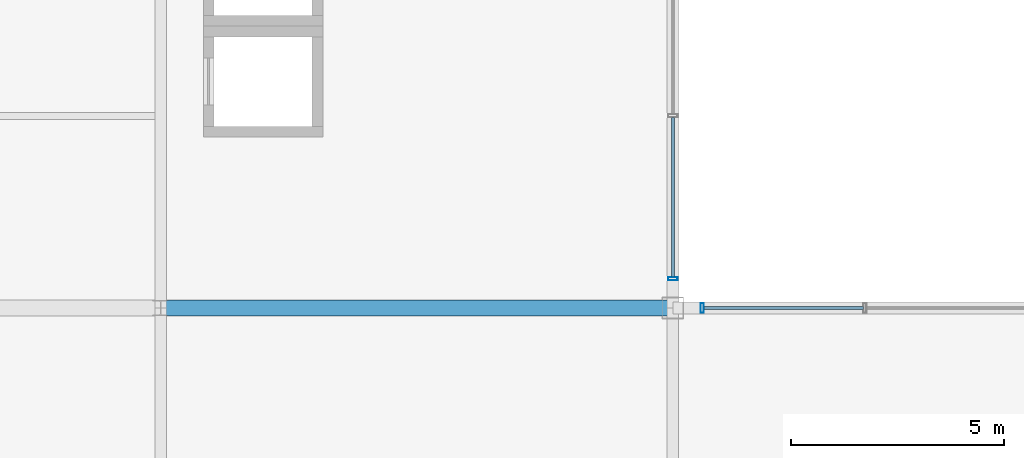
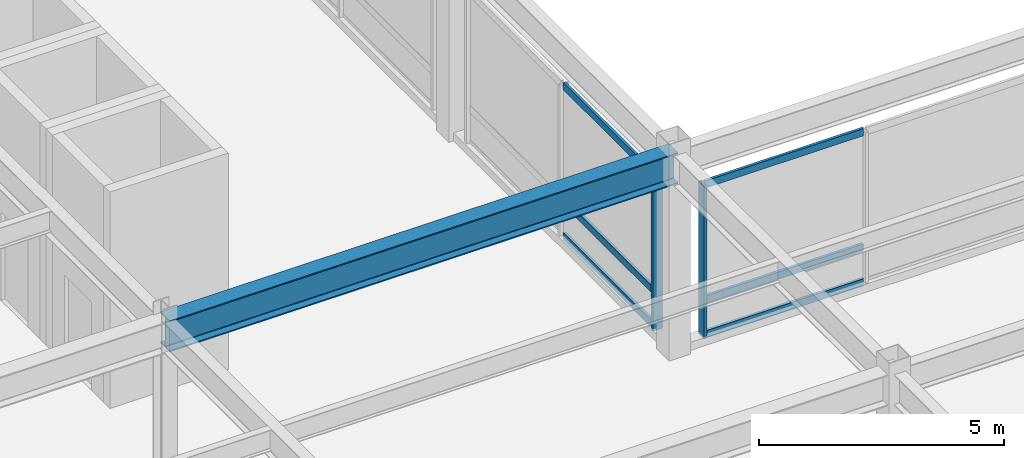
# One storey, part 50 of 100: 8 members, 1 beam, 2 elements without a shape of their own.
"""IFC4 building model written with IfcOpenShell, lengths in metres."""

from ifc_helpers import new_model, si_unit, direction, frame, origin, origin_2d, place, context, subcontext, project, spatial, hollow_rectangle, i_section, extrude, material, material_profile, profile_set, type_object, element, aggregate, save


model = new_model("IFC4")

# Units and contexts
model_context = context("Model", 3, precision=1e-05, world=origin(), true_north=direction((0.0, 1.0)))
body_context = subcontext(model_context, "Body", "Model", "MODEL_VIEW")
ifc_project = project(units=[si_unit("LENGTHUNIT", "METRE"), si_unit("AREAUNIT", "SQUARE_METRE"), si_unit("VOLUMEUNIT", "CUBIC_METRE"), si_unit("PLANEANGLEUNIT", "RADIAN"), si_unit("MASSUNIT", "GRAM", prefix="KILO")], contexts=[model_context])

# Site, building, storey
site_placement = place(None, origin())
site = spatial("IfcSite", under=ifc_project, at=site_placement, CompositionType="ELEMENT")
building_placement = place(site_placement, origin())
building = spatial("IfcBuilding", under=site, at=building_placement, Name="Kaldorvane Square Convention Centre", CompositionType="ELEMENT")
storey_placement = place(building_placement, frame((0.0, 0.0, 18.0)))
storey = spatial("IfcBuildingStorey", under=building, at=storey_placement, Name="L03", CompositionType="ELEMENT", Elevation=18.0)

# Beam
ifc_material_1 = material(Name="Steel ASTM A992 Gr. 50", Category="steel")
ifc_material_profile_1 = material_profile(ifc_material_1, i_section(OverallWidth=0.380706787109375, OverallDepth=0.773193359375, WebThickness=0.0166015625, FlangeThickness=0.027099609375, FilletRadius=0.0164947509765625, at=origin_2d()), Name="W30X173")
ifc_profile_set_1 = profile_set([ifc_material_profile_1], Name="Steel ASTM A992 Gr. 50")
beam_type = type_object("IfcBeamType", Name="BM-GR-W30X173", PredefinedType="BEAM", material=ifc_profile_set_1)
beam_placement = place(storey_placement, frame((126.0, 36.0, 4.6894073486328125), z_axis=(1.0, 0.0, 0.0), x_axis=(0.0, 1.0, 0.0)))
element("IfcBeam", 1, at=beam_placement, inside=storey, type_object=beam_type, Name="Primary Girder (L03)", PredefinedType="BEAM", context=body_context, shape_type="SweptSolid", body=[
    extrude(i_section(OverallWidth=0.380706787109375, OverallDepth=0.773193359375, WebThickness=0.0166015625, FlangeThickness=0.027099609375, FilletRadius=0.0164947509765625, at=origin_2d()), origin(), (0.0, 0.0, 1.0), 12.0),
])

# Curtain wall, member
ifc_material_2 = material(Name="Anodized Aluminum and Low-E Insulated Glazing", Category="aluminium")
curtain_wall_type = type_object("IfcCurtainWallType", Name="CW-PTS-FC-54", PredefinedType="USERDEFINED", material=ifc_material_2)
curtain_wall_1_placement = place(storey_placement, origin())
curtain_wall_1 = element("IfcCurtainWall", 2, at=curtain_wall_1_placement, inside=storey, type_object=curtain_wall_type, Name="Curtain Wall CW-08 (L03)", ObjectType="POINT SUPPORTED GLAZING", PredefinedType="USERDEFINED")
ifc_material_profile_2 = material_profile(ifc_material_2, hollow_rectangle(XDim=0.0749969482421875, YDim=0.220001220703125, WallThickness=0.003997802734375, at=origin_2d()), Name="CWM-220X75")
ifc_profile_set_2 = profile_set([ifc_material_profile_2], Name="Anodized Aluminum and Low-E Insulated Glazing")
member_type_1 = type_object("IfcMemberType", Name="CW-MUL-220", PredefinedType="MULLION", material=ifc_profile_set_2)
member_1_placement = place(storey_placement, frame((138.6875, 36.0, 0.149993896484375), z_axis=(0.0, 0.0, 1.0), x_axis=(-1.0, 0.0, 0.0)))
member_1 = element("IfcMember", 3, at=member_1_placement, type_object=member_type_1, Name="CW-08 mullion 3", PredefinedType="MULLION", context=body_context, shape_type="SweptSolid", body=[
    extrude(hollow_rectangle(XDim=0.0749969482421875, YDim=0.220001220703125, WallThickness=0.003997802734375, at=origin_2d()), origin(), (0.0, 0.0, 1.0), 3.8100128173828125),
])

curtain_wall_2_placement = place(storey_placement, origin())
curtain_wall_2 = element("IfcCurtainWall", 4, at=curtain_wall_2_placement, inside=storey, type_object=curtain_wall_type, Name="Curtain Wall CW-08 (L03)", ObjectType="POINT SUPPORTED GLAZING", PredefinedType="USERDEFINED")
member_2_placement = place(storey_placement, frame((138.0, 36.6875, 0.149993896484375), z_axis=(0.0, 0.0, 1.0), x_axis=(0.0, 1.0, 0.0)))
member_2 = element("IfcMember", 5, at=member_2_placement, type_object=member_type_1, Name="CW-08 mullion 1", PredefinedType="MULLION", context=body_context, shape_type="SweptSolid", body=[
    extrude(hollow_rectangle(XDim=0.0749969482421875, YDim=0.220001220703125, WallThickness=0.003997802734375, at=origin_2d()), origin(), (0.0, 0.0, 1.0), 3.8100128173828125),
])

# Member
ifc_material_profile_3 = material_profile(ifc_material_2, hollow_rectangle(XDim=0.06500244140625, YDim=0.17999267578125, WallThickness=0.0034942626953125, at=origin_2d()), Name="CWT-180X65")
ifc_profile_set_3 = profile_set([ifc_material_profile_3], Name="Anodized Aluminum and Low-E Insulated Glazing")
member_type_2 = type_object("IfcMemberType", Name="CW-TRN-180", PredefinedType="USERDEFINED", material=ifc_profile_set_3)
member_3_placement = place(storey_placement, frame((142.46249389648438, 36.0, 0.1824951171875), z_axis=(-1.0, 0.0, 0.0), x_axis=(0.0, -1.0, 0.0)))
member_3 = element("IfcMember", 6, at=member_3_placement, type_object=member_type_2, Name="CW-08 transom 2.1", ObjectType="TRANSOM", PredefinedType="USERDEFINED", context=body_context, shape_type="SweptSolid", body=[
    extrude(hollow_rectangle(XDim=0.06500244140625, YDim=0.17999267578125, WallThickness=0.0034942626953125, at=origin_2d()), origin(), (0.0, 0.0, 1.0), 3.73748779296875),
])

member_4_placement = place(storey_placement, frame((142.46249389648438, 36.0, 1.0500030517578125), z_axis=(-1.0, 0.0, 0.0), x_axis=(0.0, -1.0, 0.0)))
member_4 = element("IfcMember", 7, at=member_4_placement, type_object=member_type_2, Name="CW-08 transom 2.2", ObjectType="TRANSOM", PredefinedType="USERDEFINED", context=body_context, shape_type="SweptSolid", body=[
    extrude(hollow_rectangle(XDim=0.06500244140625, YDim=0.17999267578125, WallThickness=0.0034942626953125, at=origin_2d()), origin(), (0.0, 0.0, 1.0), 3.73748779296875),
])

member_5_placement = place(storey_placement, frame((142.46249389648438, 36.0, 3.9275054931640625), z_axis=(-1.0, 0.0, 0.0), x_axis=(0.0, -1.0, 0.0)))
member_5 = element("IfcMember", 8, at=member_5_placement, type_object=member_type_2, Name="CW-08 transom 2.3", ObjectType="TRANSOM", PredefinedType="USERDEFINED", context=body_context, shape_type="SweptSolid", body=[
    extrude(hollow_rectangle(XDim=0.06500244140625, YDim=0.17999267578125, WallThickness=0.0034942626953125, at=origin_2d()), origin(), (0.0, 0.0, 1.0), 3.73748779296875),
])

aggregate(curtain_wall_1, [member_1, member_3, member_4, member_5])

member_6_placement = place(storey_placement, frame((138.0, 36.725006103515625, 0.1824951171875), z_axis=(0.0, 1.0, 0.0), x_axis=(-1.0, 0.0, 0.0)))
member_6 = element("IfcMember", 9, at=member_6_placement, type_object=member_type_2, Name="CW-08 transom 1.1", ObjectType="TRANSOM", PredefinedType="USERDEFINED", context=body_context, shape_type="SweptSolid", body=[
    extrude(hollow_rectangle(XDim=0.06500244140625, YDim=0.17999267578125, WallThickness=0.0034942626953125, at=origin_2d()), origin(), (0.0, 0.0, 1.0), 3.73748779296875),
])

member_7_placement = place(storey_placement, frame((138.0, 36.725006103515625, 1.0500030517578125), z_axis=(0.0, 1.0, 0.0), x_axis=(-1.0, 0.0, 0.0)))
member_7 = element("IfcMember", 10, at=member_7_placement, type_object=member_type_2, Name="CW-08 transom 1.2", ObjectType="TRANSOM", PredefinedType="USERDEFINED", context=body_context, shape_type="SweptSolid", body=[
    extrude(hollow_rectangle(XDim=0.06500244140625, YDim=0.17999267578125, WallThickness=0.0034942626953125, at=origin_2d()), origin(), (0.0, 0.0, 1.0), 3.73748779296875),
])

member_8_placement = place(storey_placement, frame((138.0, 36.725006103515625, 3.9275054931640625), z_axis=(0.0, 1.0, 0.0), x_axis=(-1.0, 0.0, 0.0)))
member_8 = element("IfcMember", 11, at=member_8_placement, type_object=member_type_2, Name="CW-08 transom 1.3", ObjectType="TRANSOM", PredefinedType="USERDEFINED", context=body_context, shape_type="SweptSolid", body=[
    extrude(hollow_rectangle(XDim=0.06500244140625, YDim=0.17999267578125, WallThickness=0.0034942626953125, at=origin_2d()), origin(), (0.0, 0.0, 1.0), 3.73748779296875),
])

aggregate(curtain_wall_2, [member_2, member_6, member_7, member_8])

save(model, "model.ifc")
